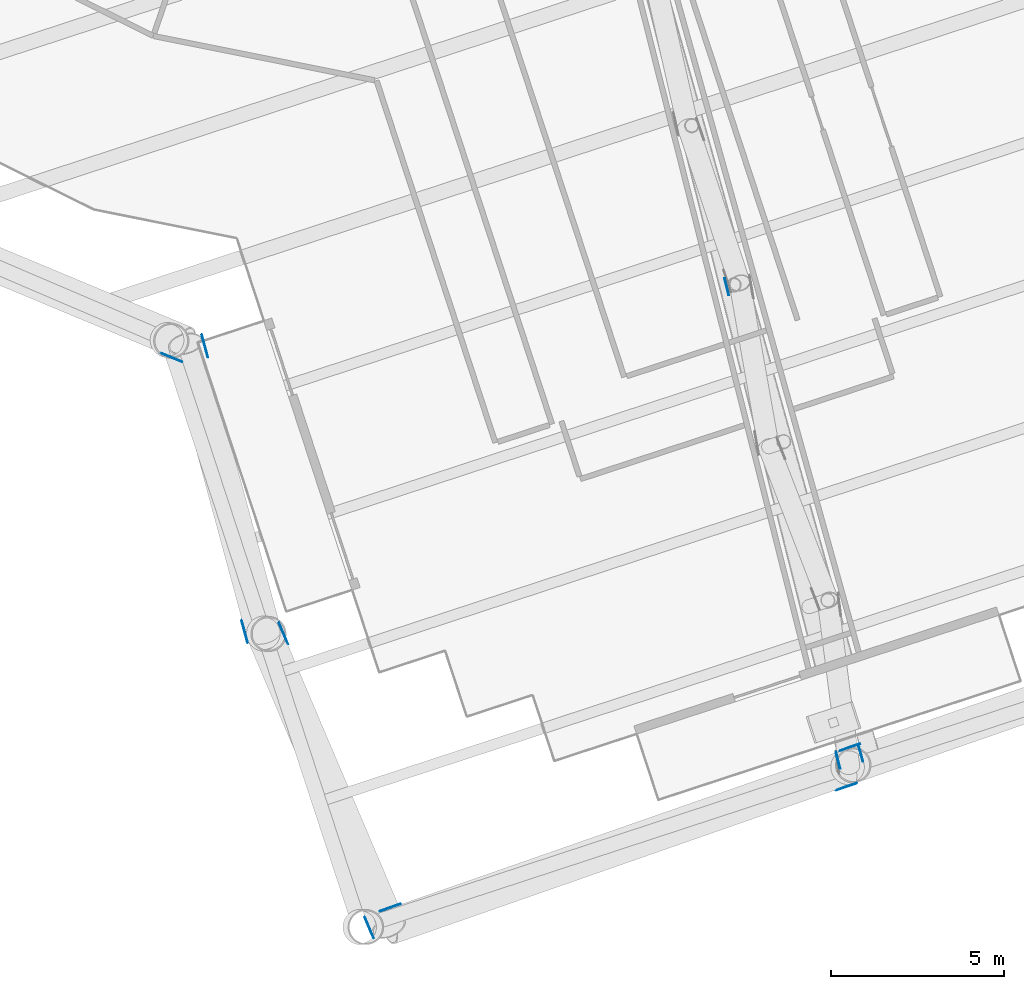
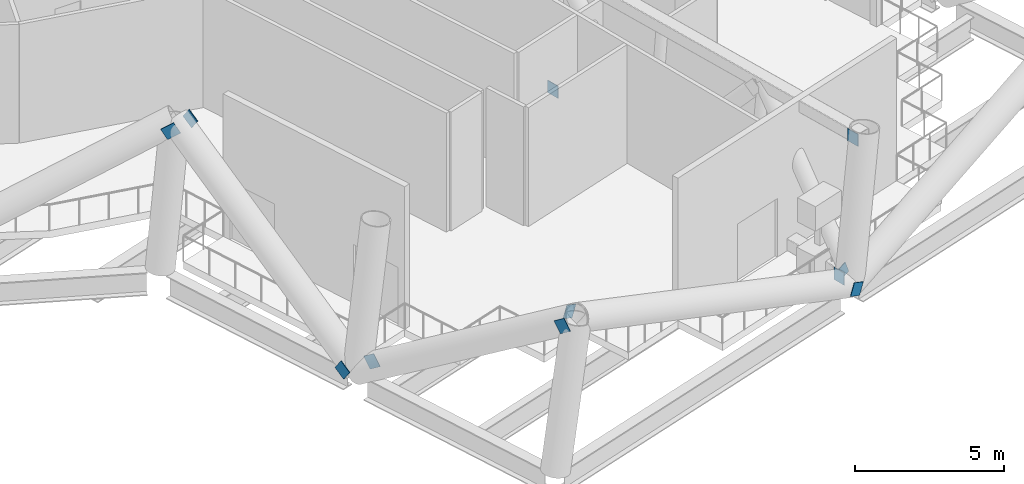
# One storey, part 18 of 33: 11 discrete accessories.
"""IFC4 building model written with IfcOpenShell, lengths in metres."""

from ifc_helpers import new_model, si_unit, direction, frame, origin, origin_2d, place, context, subcontext, project, spatial, rectangle, extrude, material, material_profile, profile_set, type_object, element, save


model = new_model("IFC4")

# Units and contexts
model_context = context("Model", 3, precision=1e-05, world=origin(), true_north=direction((0.0, 1.0)))
body_context = subcontext(model_context, "Body", "Model", "MODEL_VIEW")
ifc_project = project(units=[si_unit("LENGTHUNIT", "METRE"), si_unit("AREAUNIT", "SQUARE_METRE"), si_unit("VOLUMEUNIT", "CUBIC_METRE"), si_unit("PLANEANGLEUNIT", "RADIAN"), si_unit("MASSUNIT", "GRAM", prefix="KILO")], contexts=[model_context])

# Site, building, storey
site_placement = place(None, origin())
site = spatial("IfcSite", under=ifc_project, at=site_placement, CompositionType="ELEMENT")
building_placement = place(site_placement, origin())
building = spatial("IfcBuilding", under=site, at=building_placement, Name="Tarsis Ring Headquarters", CompositionType="ELEMENT")
storey_placement = place(building_placement, frame((0.0, 0.0, 302.0)))
storey = spatial("IfcBuildingStorey", under=building, at=storey_placement, Name="L71", CompositionType="ELEMENT", Elevation=302.0)

# Discrete accessories
ifc_material = material(Name="Structural steel S355", Category="steel")
ifc_material_profile = material_profile(ifc_material, rectangle(XDim=0.02490234375, YDim=0.5, at=origin_2d()), Name="PL 25x500")
ifc_profile_set = profile_set([ifc_material_profile], Name="Structural steel S355")
discrete_accessory_type_1 = type_object("IfcDiscreteAccessoryType", Name="Gusset plate Belt truss 25", PredefinedType="BRACKET", material=ifc_profile_set)
discrete_accessory_placement = place(storey_placement, frame((-5.956787109375, -28.952880859375, 6.0), z_axis=(-0.815183574159, 0.339741178213, -0.469096655549), x_axis=(-0.38469387616, -0.92304421435, 0.0)))
element("IfcDiscreteAccessory", 1, at=discrete_accessory_placement, inside=storey, type_object=discrete_accessory_type_1, Name="Gusset plate GP4", PredefinedType="BRACKET", context=body_context, shape_type="SweptSolid", body=[
    extrude(rectangle(XDim=0.02490234375, YDim=0.5, at=origin_2d()), origin(), (0.0, 0.0, 1.0), 0.500244140625),
])
for number, where, z_axis, x_axis, name in (
    (2, (-4.000244140625, -36.9580078125, 0.0), (-0.214797408417, 0.793285883358, 0.569701308233), (-0.965241982685, -0.261357829158, 0.0), "Gusset plate GP4"),
    (3, (-5.254150390625, -28.33642578125, 6.0), (0.214331682715, -0.793368984992, -0.569760987991), (0.96539169647, 0.260804279846, 0.0), "Gusset plate GP4"),
    (4, (-3.018798828125, -36.618408203125, 0.0), (0.32758443349, -0.770873055857, 0.546299524702), (0.920346654191, 0.391103613022, 0.0), "Gusset plate GP4"),
    (5, (-0.38037109375, -45.489990234375, 6.0), (-0.327707748086, 0.770674853175, -0.546505171548), (-0.920257425911, -0.391313518876, 0.0), "Gusset plate GP4"),
    (6, (13.510986328125, -41.15966796875, 0.0), (-0.868058932486, -0.30269771549, 0.393507030137), (0.329262048407, -0.944238583981, 0.0), "Gusset plate GP4"),
    (7, (-0.07275390625, -44.795166015625, 6.0), (0.868058932486, 0.30269771549, -0.393507030137), (-0.329262048407, 0.944238583981, 0.0), "Gusset plate GP4"),
    (8, (13.168701171875, -40.176513671875, 0.0), (0.881368564895, 0.306647899587, 0.35938352563), (-0.328601802678, 0.944468557061, 0.0), "Gusset plate GP4"),
):
    element("IfcDiscreteAccessory", number, at=place(storey_placement, frame(where, z_axis=z_axis, x_axis=x_axis)), inside=storey, type_object=discrete_accessory_type_1, Name=name, PredefinedType="BRACKET", context=body_context, shape_type="SweptSolid", body=[
        extrude(rectangle(XDim=0.02490234375, YDim=0.5, at=origin_2d()), origin(), (0.0, 0.0, 1.0), 0.5),
    ])
discrete_accessory_type_2 = type_object("IfcDiscreteAccessoryType", Name="Gusset plate Outrigger chord 25", PredefinedType="BRACKET", material=ifc_profile_set)
for number, where, z_axis, x_axis, name in (
    (9, (13.1123046875, -40.72265625, 0.25390625), (-0.244602868708, 0.969623347811, 0.0), (-0.969623347811, -0.244602868708, 0.0), "Gusset plate GP3"),
    (10, (13.767822265625, -40.5078125, 5.5859375), (-0.267618676318, 0.963524905794, 0.0), (-0.963524905794, -0.267618676318, 0.0), "Gusset plate GP3"),
    (11, (9.839599609375, -26.826171875, 0.508056640625), (0.0, 0.0, 1.0), (-0.969676256824, -0.244393037855, 0.0), "Gusset plate GP3"),
):
    element("IfcDiscreteAccessory", number, at=place(storey_placement, frame(where, z_axis=z_axis, x_axis=x_axis)), inside=storey, type_object=discrete_accessory_type_2, Name=name, PredefinedType="BRACKET", context=body_context, shape_type="SweptSolid", body=[
        extrude(rectangle(XDim=0.02490234375, YDim=0.5, at=origin_2d()), origin(), (0.0, 0.0, 1.0), 0.5),
    ])

save(model, "model.ifc")
